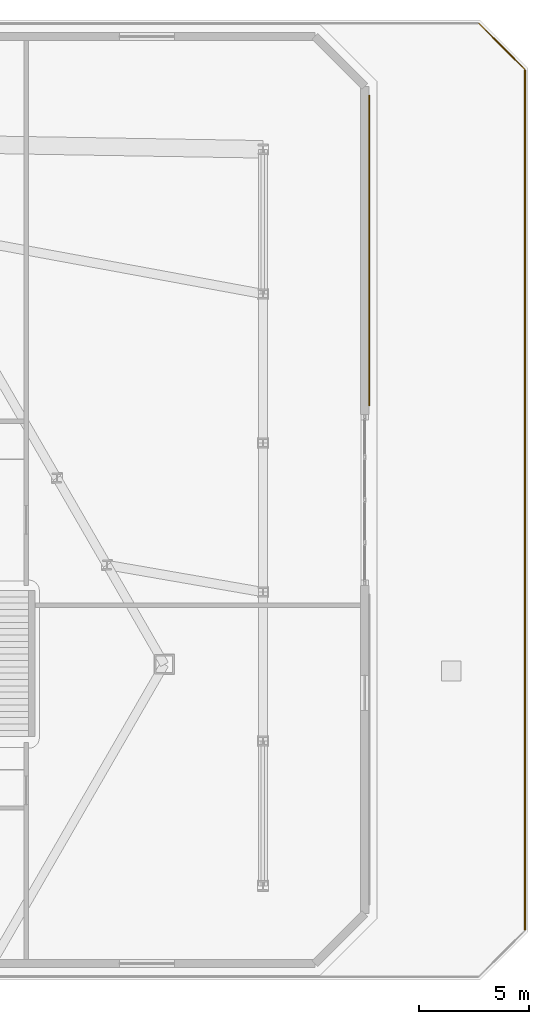
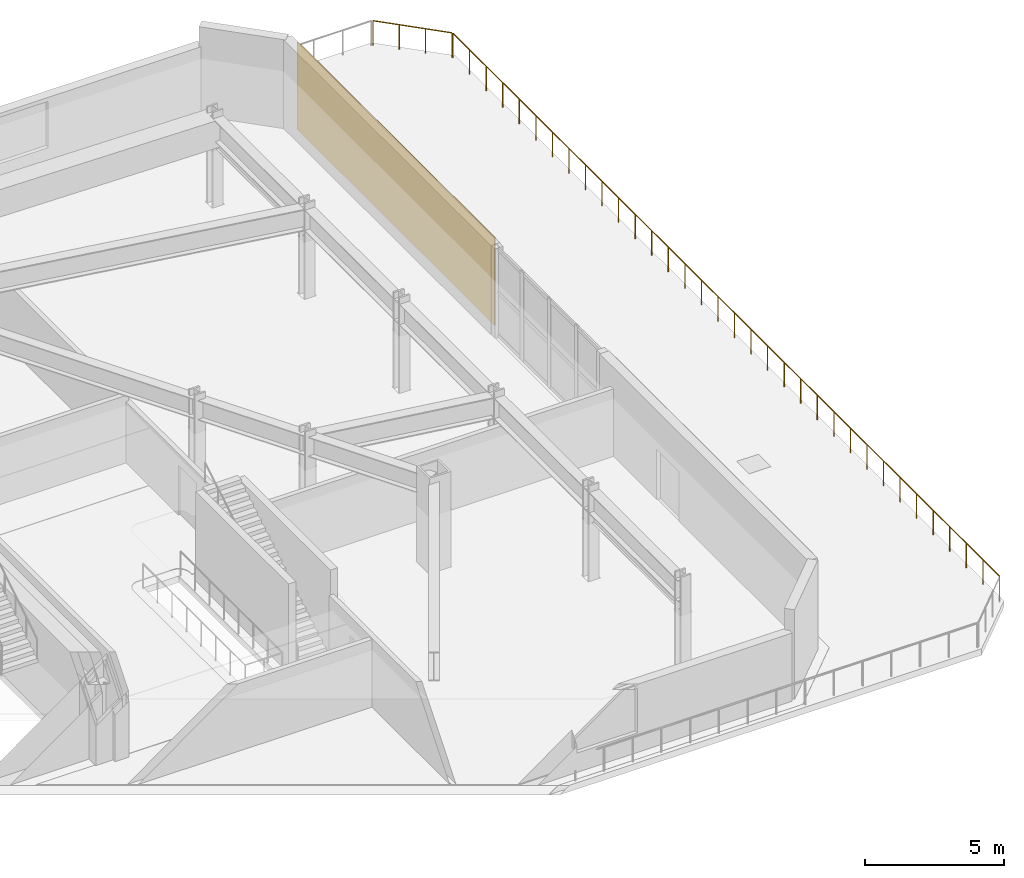
# One storey, part 15 of 16: 2 railings, 1 covering.
"""IFC4 building model written with IfcOpenShell, lengths in metres."""

import ifcopenshell
import ifcopenshell.guid

model = None  # the IFC model being written
_history = None  # IfcOwnerHistory: only IFC2X3 demands one
_inside = {}  # id of a spatial element -> (the spatial element, [elements in it])
_under = {}  # id of a project, library or spatial element -> (it, [spatial elements below it])
_declared = {}  # id of a project -> (the project, [libraries it declares])
_typed = {}  # id of a type object -> (the type object, [elements of that type])
_made_of = {}  # id of a material, layer set ... -> (it, [elements and type objects made of it])


def new_model(schema):
    """Start an empty IFC model of exactly this schema.

    Asked for "IFC4X3", IfcOpenShell would pick the latest addendum, in which some entities
    have other attributes; the version numbers below select the first issue.
    IFC2X3 requires an IfcOwnerHistory on every rooted entity: one is made here for all.
    """
    global model, _history
    if schema == "IFC4X3":
        model = ifcopenshell.file(schema_version=(4, 3, 0, 0))
    else:
        model = ifcopenshell.file(schema=schema)
    _inside.clear()
    _under.clear()
    _declared.clear()
    _typed.clear()
    _made_of.clear()
    _history = None
    if model.schema == "IFC2X3":
        org = make("IfcOrganization", Name="unknown")
        user = make(
            "IfcPersonAndOrganization",
            ThePerson=make("IfcPerson", FamilyName="unknown"),
            TheOrganization=org,
        )
        app = make(
            "IfcApplication",
            ApplicationDeveloper=org,
            Version="unknown",
            ApplicationFullName="unknown",
            ApplicationIdentifier="unknown",
        )
        _history = make(
            "IfcOwnerHistory",
            OwningUser=user,
            OwningApplication=app,
            ChangeAction="ADDED",
            CreationDate=0,
        )
    return model


def make(cls, **values):
    """One entity of the class cls with the attributes given. An attribute that is None is left unset."""
    return model.create_entity(
        cls, **{name: value for name, value in values.items() if value is not None}
    )


def rooted(cls, **values):
    """An entity with a GlobalId (a new one), such as an element, a storey or a relation."""
    return make(cls, GlobalId=ifcopenshell.guid.new(), OwnerHistory=_history, **values)


def si_unit(unit_type, name, prefix=None):
    """IfcSIUnit, for example si_unit("LENGTHUNIT", "METRE", prefix="MILLI")."""
    return make("IfcSIUnit", UnitType=unit_type, Prefix=prefix, Name=name)


def assignment(units):
    """IfcUnitAssignment: the units of a project."""
    return None if units is None else make("IfcUnitAssignment", Units=units)


def point(xyz):
    """IfcCartesianPoint."""
    return None if xyz is None else make("IfcCartesianPoint", Coordinates=xyz)


def direction(xyz):
    """IfcDirection."""
    return None if xyz is None else make("IfcDirection", DirectionRatios=xyz)


def frame(location, z_axis=None, x_axis=None):
    """IfcAxis2Placement3D, a coordinate frame: its origin and axes. An axis left out is left unset."""
    return make(
        "IfcAxis2Placement3D",
        Location=point(location),
        Axis=direction(z_axis),
        RefDirection=direction(x_axis),
    )


def frame_2d(location, x_axis=None):
    """IfcAxis2Placement2D, a coordinate frame in the plane: its origin and x axis."""
    return make(
        "IfcAxis2Placement2D", Location=point(location), RefDirection=direction(x_axis)
    )


def origin():
    """The frame at (0, 0, 0) with its axes left unset."""
    return frame((0.0, 0.0, 0.0))


def origin_2d():
    """The frame at (0, 0) in the plane with its x axis left unset."""
    return frame_2d((0.0, 0.0))


def place(relative_to, where):
    """IfcLocalPlacement: puts the frame where relative to a parent placement (None: the world)."""
    return make(
        "IfcLocalPlacement", PlacementRelTo=relative_to, RelativePlacement=where
    )


def context(
    kind, dimensions, precision=None, world=None, true_north=None, identifier=None
):
    """IfcGeometricRepresentationContext, for example the 3D "Model" context."""
    return make(
        "IfcGeometricRepresentationContext",
        ContextIdentifier=identifier,
        ContextType=kind,
        CoordinateSpaceDimension=dimensions,
        Precision=precision,
        WorldCoordinateSystem=world,
        TrueNorth=true_north,
    )


def subcontext(parent, identifier, kind, view, scale=None):
    """IfcGeometricRepresentationSubContext, for example "Body" below "Model"."""
    return make(
        "IfcGeometricRepresentationSubContext",
        ContextIdentifier=identifier,
        ContextType=kind,
        ParentContext=parent,
        TargetScale=scale,
        TargetView=view,
    )


def project(units=None, contexts=None):
    """IfcProject with its units and contexts."""
    return rooted(
        "IfcProject",
        Name="project",
        RepresentationContexts=contexts,
        UnitsInContext=assignment(units),
    )


def spatial(cls, under=None, at=None, **own):
    """A site, building, storey or space (cls), placed at a placement, below another one or the project."""
    s = rooted(cls, ObjectPlacement=at, **own)
    if under is not None:
        _under.setdefault(under.id(), (under, []))[1].append(s)
    return s


def profile(cls, at=None, kind="AREA", **sizes):
    """A parametric profile (cls). Its sizes go by their IFC names, for example OverallWidth=200.0."""
    return make(cls, ProfileType=kind, Position=at, **sizes)


def rectangle(**sizes):
    """IfcRectangleProfileDef."""
    return profile("IfcRectangleProfileDef", **sizes)


def circle(**sizes):
    """IfcCircleProfileDef."""
    return profile("IfcCircleProfileDef", **sizes)


def extrude(swept, where, along, depth):
    """IfcExtrudedAreaSolid: the profile swept, set in the frame where, extruded along a direction by depth."""
    return make(
        "IfcExtrudedAreaSolid",
        SweptArea=swept,
        Position=where,
        ExtrudedDirection=direction(along),
        Depth=depth,
    )


def shape(context_of_items, identifier, shape_type, items):
    """IfcShapeRepresentation: the items that make up one representation, for example the "Body"."""
    return make(
        "IfcShapeRepresentation",
        ContextOfItems=context_of_items,
        RepresentationIdentifier=identifier,
        RepresentationType=shape_type,
        Items=items,
    )


def material(Name=None, Category=None):
    """IfcMaterial."""
    return make("IfcMaterial", Name=Name, Category=Category)


def layer(
    of_material, thickness, ventilated=None, Name=None, Category=None, Priority=None
):
    """IfcMaterialLayer: one layer of a wall or slab, of a material (None: an air gap)."""
    return make(
        "IfcMaterialLayer",
        Material=of_material,
        LayerThickness=thickness,
        IsVentilated=ventilated,
        Name=Name,
        Category=Category,
        Priority=Priority,
    )


def layer_set(layers, Name=None):
    """IfcMaterialLayerSet."""
    return make("IfcMaterialLayerSet", MaterialLayers=layers, LayerSetName=Name)


def made_of(thing, what):
    """Note that an element or type object is made of a material, layer set ...; save() writes the relation."""
    if what is not None:
        _made_of.setdefault(what.id(), (what, []))[1].append(thing)
    return thing


def type_object(cls, material=None, **own):
    """A type object (cls), such as IfcWallType, which elements share."""
    return made_of(rooted(cls, **own), material)


def element(
    cls,
    number,
    at=None,
    inside=None,
    cuts=None,
    type_object=None,
    material=None,
    context=None,
    identifier="Body",
    shape_type=None,
    held_by="IfcProductDefinitionShape",
    body=None,
    shapes=None,
    **own,
):
    """One element of the class cls, such as IfcWall. Its Tag is "e" and its number.

    at: its placement. inside: the storey or other place that contains it. cuts: it is an
    opening in that element (IfcRelVoidsElement). A single representation is given by context,
    identifier, shape_type and body (its items); several are given by shapes. held_by: the class
    of the entity that holds the representations. save() writes the other relations.
    """
    e = rooted(cls, Tag="e%d" % number, ObjectPlacement=at, **own)
    if body is not None:
        shapes = [shape(context, identifier, shape_type, body)]
    if shapes is not None:
        e.Representation = make(held_by, Representations=shapes)
    if inside is not None:
        _inside.setdefault(inside.id(), (inside, []))[1].append(e)
    if cuts is not None:
        rooted(
            "IfcRelVoidsElement", RelatingBuildingElement=cuts, RelatedOpeningElement=e
        )
    if type_object is not None:
        _typed.setdefault(type_object.id(), (type_object, []))[1].append(e)
    return made_of(e, material)


def aggregate(whole, parts):
    """IfcRelAggregates: a whole, such as a stair, and the parts it consists of."""
    return rooted("IfcRelAggregates", RelatingObject=whole, RelatedObjects=parts)


def save(model, path):
    """Write the relations noted so far, then the file.

    IfcRelAggregates (storeys below a building ...), IfcRelContainedInSpatialStructure (elements
    in a storey), IfcRelDefinesByType, IfcRelAssociatesMaterial and IfcRelDeclares: one each for
    every whole, place, type object, material and project.
    """
    for whole, parts in _under.values():
        aggregate(whole, parts)
    for where, things in _inside.values():
        rooted(
            "IfcRelContainedInSpatialStructure",
            RelatedElements=things,
            RelatingStructure=where,
        )
    for kind, things in _typed.values():
        rooted("IfcRelDefinesByType", RelatedObjects=things, RelatingType=kind)
    for what, things in _made_of.values():
        rooted("IfcRelAssociatesMaterial", RelatedObjects=things, RelatingMaterial=what)
    for by, libraries in _declared.values():
        rooted("IfcRelDeclares", RelatingContext=by, RelatedDefinitions=libraries)
    model.write(path)


model = new_model("IFC4")

# Units and contexts
model_context = context("Model", 3, precision=1e-05, world=origin(), true_north=direction((0.0, 1.0)))
body_context = subcontext(model_context, "Body", "Model", "MODEL_VIEW")
ifc_project = project(units=[si_unit("LENGTHUNIT", "METRE"), si_unit("AREAUNIT", "SQUARE_METRE"), si_unit("VOLUMEUNIT", "CUBIC_METRE"), si_unit("PLANEANGLEUNIT", "RADIAN"), si_unit("MASSUNIT", "GRAM", prefix="KILO")], contexts=[model_context])

# Site, building, storey
site_placement = place(None, origin())
site = spatial("IfcSite", under=ifc_project, at=site_placement, CompositionType="ELEMENT")
building_placement = place(site_placement, origin())
building = spatial("IfcBuilding", under=site, at=building_placement, Name="Oramaril Tower", CompositionType="ELEMENT")
storey_placement = place(building_placement, frame((0.0, 0.0, 9.89990234375)))
storey = spatial("IfcBuildingStorey", under=building, at=storey_placement, Name="L02", CompositionType="ELEMENT", Elevation=9.89990234375)

# Covering
ifc_material_1 = material(Name="Warm Cream Limestone", Category="masonry")
ifc_layer = layer(ifc_material_1, 0.050048828125)
ifc_layer_set = layer_set([ifc_layer], Name="CVT-CLD")
covering_type = type_object("IfcCoveringType", Name="CVT-CLD", PredefinedType="CLADDING", material=ifc_layer_set)
covering_placement = place(storey_placement, frame((71.262939453125, 34.18603515625, 0.05029296875), z_axis=(0.0, 0.0, 1.0), x_axis=(0.0, 1.0, 0.0)))
element("IfcCovering", 1, at=covering_placement, inside=storey, type_object=covering_type, Name="L02 Warm Cream Limestone Cladding", PredefinedType="CLADDING", context=body_context, shape_type="SweptSolid", body=[
    extrude(rectangle(XDim=14.172119140625, YDim=0.050048828125, at=origin_2d()), origin(), (0.0, 0.0, 1.0), 3.820068359375),
])

# Railings
ifc_material_2 = material(Name="Stainless Steel 316L", Category="steel")
railing_type = type_object("IfcRailingType", Name="RLT-GRD", PredefinedType="GUARDRAIL", material=ifc_material_2)
railing_1_placement = place(storey_placement, frame((78.360107421875, 3.18798828125, 0.0)))
element("IfcRailing", 2, at=railing_1_placement, inside=storey, type_object=railing_type, Name="L02 Podium Terrace Guardrail 03", PredefinedType="GUARDRAIL", context=body_context, shape_type="SweptSolid", body=[
    extrude(circle(Radius=0.02392578125, at=origin_2d()), frame((0.0, 0.0, 1.076171875), z_axis=(0.0, 1.0, 0.0), x_axis=(-1.0, 0.0, 0.0)), (0.0, 0.0, 1.0), 39.22412109375),
    extrude(circle(Radius=0.02099609375, at=origin_2d()), origin(), (0.0, 0.0, 1.0), 1.052001953125),
    extrude(circle(Radius=0.02099609375, at=origin_2d()), frame((0.0, 1.188720703125, 0.0)), (0.0, 0.0, 1.0), 1.052001953125),
    extrude(circle(Radius=0.02099609375, at=origin_2d()), frame((0.0, 2.377197265625, 0.0)), (0.0, 0.0, 1.0), 1.052001953125),
    extrude(circle(Radius=0.02099609375, at=origin_2d()), frame((0.0, 3.56591796875, 0.0)), (0.0, 0.0, 1.0), 1.052001953125),
    extrude(circle(Radius=0.02099609375, at=origin_2d()), frame((0.0, 4.75439453125, 0.0)), (0.0, 0.0, 1.0), 1.052001953125),
    extrude(circle(Radius=0.02099609375, at=origin_2d()), frame((0.0, 5.943115234375, 0.0)), (0.0, 0.0, 1.0), 1.052001953125),
    extrude(circle(Radius=0.02099609375, at=origin_2d()), frame((0.0, 7.131591796875, 0.0)), (0.0, 0.0, 1.0), 1.052001953125),
    extrude(circle(Radius=0.02099609375, at=origin_2d()), frame((0.0, 8.3203125, 0.0)), (0.0, 0.0, 1.0), 1.052001953125),
    extrude(circle(Radius=0.02099609375, at=origin_2d()), frame((0.0, 9.5087890625, 0.0)), (0.0, 0.0, 1.0), 1.052001953125),
    extrude(circle(Radius=0.02099609375, at=origin_2d()), frame((0.0, 10.697509765625, 0.0)), (0.0, 0.0, 1.0), 1.052001953125),
    extrude(circle(Radius=0.02099609375, at=origin_2d()), frame((0.0, 11.885986328125, 0.0)), (0.0, 0.0, 1.0), 1.052001953125),
    extrude(circle(Radius=0.02099609375, at=origin_2d()), frame((0.0, 13.07470703125, 0.0)), (0.0, 0.0, 1.0), 1.052001953125),
    extrude(circle(Radius=0.02099609375, at=origin_2d()), frame((0.0, 14.263427734375, 0.0)), (0.0, 0.0, 1.0), 1.052001953125),
    extrude(circle(Radius=0.02099609375, at=origin_2d()), frame((0.0, 15.451904296875, 0.0)), (0.0, 0.0, 1.0), 1.052001953125),
    extrude(circle(Radius=0.02099609375, at=origin_2d()), frame((0.0, 16.640625, 0.0)), (0.0, 0.0, 1.0), 1.052001953125),
    extrude(circle(Radius=0.02099609375, at=origin_2d()), frame((0.0, 17.8291015625, 0.0)), (0.0, 0.0, 1.0), 1.052001953125),
    extrude(circle(Radius=0.02099609375, at=origin_2d()), frame((0.0, 19.017822265625, 0.0)), (0.0, 0.0, 1.0), 1.052001953125),
    extrude(circle(Radius=0.02099609375, at=origin_2d()), frame((0.0, 20.206298828125, 0.0)), (0.0, 0.0, 1.0), 1.052001953125),
    extrude(circle(Radius=0.02099609375, at=origin_2d()), frame((0.0, 21.39501953125, 0.0)), (0.0, 0.0, 1.0), 1.052001953125),
    extrude(circle(Radius=0.02099609375, at=origin_2d()), frame((0.0, 22.58349609375, 0.0)), (0.0, 0.0, 1.0), 1.052001953125),
    extrude(circle(Radius=0.02099609375, at=origin_2d()), frame((0.0, 23.772216796875, 0.0)), (0.0, 0.0, 1.0), 1.052001953125),
    extrude(circle(Radius=0.02099609375, at=origin_2d()), frame((0.0, 24.960693359375, 0.0)), (0.0, 0.0, 1.0), 1.052001953125),
    extrude(circle(Radius=0.02099609375, at=origin_2d()), frame((0.0, 26.1494140625, 0.0)), (0.0, 0.0, 1.0), 1.052001953125),
    extrude(circle(Radius=0.02099609375, at=origin_2d()), frame((0.0, 27.338134765625, 0.0)), (0.0, 0.0, 1.0), 1.052001953125),
    extrude(circle(Radius=0.02099609375, at=origin_2d()), frame((0.0, 28.526611328125, 0.0)), (0.0, 0.0, 1.0), 1.052001953125),
    extrude(circle(Radius=0.02099609375, at=origin_2d()), frame((0.0, 29.71533203125, 0.0)), (0.0, 0.0, 1.0), 1.052001953125),
    extrude(circle(Radius=0.02099609375, at=origin_2d()), frame((0.0, 30.90380859375, 0.0)), (0.0, 0.0, 1.0), 1.052001953125),
    extrude(circle(Radius=0.02099609375, at=origin_2d()), frame((0.0, 32.092529296875, 0.0)), (0.0, 0.0, 1.0), 1.052001953125),
    extrude(circle(Radius=0.02099609375, at=origin_2d()), frame((0.0, 33.281005859375, 0.0)), (0.0, 0.0, 1.0), 1.052001953125),
    extrude(circle(Radius=0.02099609375, at=origin_2d()), frame((0.0, 34.4697265625, 0.0)), (0.0, 0.0, 1.0), 1.052001953125),
    extrude(circle(Radius=0.02099609375, at=origin_2d()), frame((0.0, 35.658203125, 0.0)), (0.0, 0.0, 1.0), 1.052001953125),
    extrude(circle(Radius=0.02099609375, at=origin_2d()), frame((0.0, 36.846923828125, 0.0)), (0.0, 0.0, 1.0), 1.052001953125),
    extrude(circle(Radius=0.02099609375, at=origin_2d()), frame((0.0, 38.035400390625, 0.0)), (0.0, 0.0, 1.0), 1.052001953125),
    extrude(circle(Radius=0.02099609375, at=origin_2d()), frame((0.0, 39.22412109375, 0.0)), (0.0, 0.0, 1.0), 1.052001953125),
])
railing_2_placement = place(storey_placement, frame((78.3388671875, 42.463134765625, 0.0)))
element("IfcRailing", 3, at=railing_2_placement, inside=storey, type_object=railing_type, Name="L02 Podium Terrace Guardrail 04", PredefinedType="GUARDRAIL", context=body_context, shape_type="SweptSolid", body=[
    extrude(circle(Radius=0.02392578125, at=origin_2d()), frame((0.0, 0.0, 1.076171875), z_axis=(-0.707106781187, 0.707106781187, 0.0), x_axis=(-0.707106781187, -0.707106781187, 0.0)), (0.0, 0.0, 1.0), 2.935546875),
    extrude(circle(Radius=0.02099609375, at=origin_2d()), origin(), (0.0, 0.0, 1.0), 1.052001953125),
    extrude(circle(Radius=0.02099609375, at=origin_2d()), frame((-0.69189453125, 0.69189453125, 0.0)), (0.0, 0.0, 1.0), 1.052001953125),
    extrude(circle(Radius=0.02099609375, at=origin_2d()), frame((-1.3837890625, 1.3837890625, 0.0)), (0.0, 0.0, 1.0), 1.052001953125),
    extrude(circle(Radius=0.02099609375, at=origin_2d()), frame((-2.07568359375, 2.07568359375, 0.0)), (0.0, 0.0, 1.0), 1.052001953125),
])

save(model, "model.ifc")
